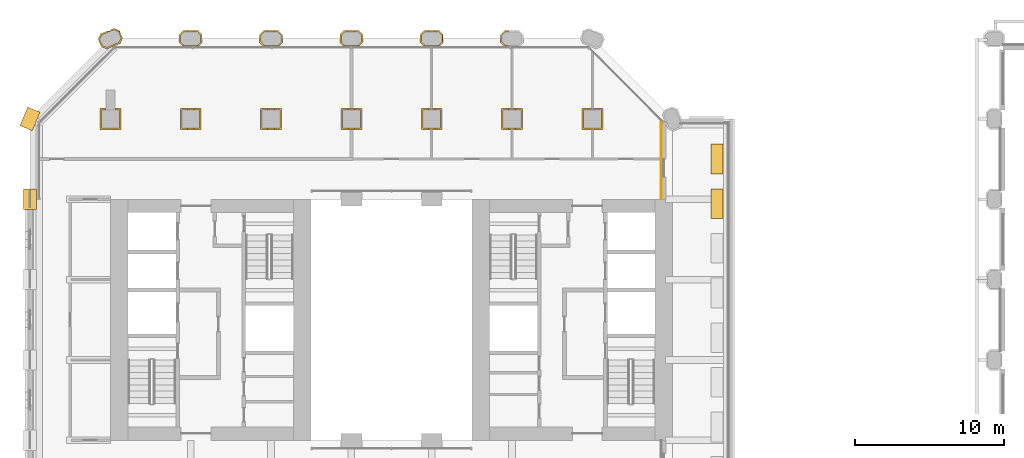
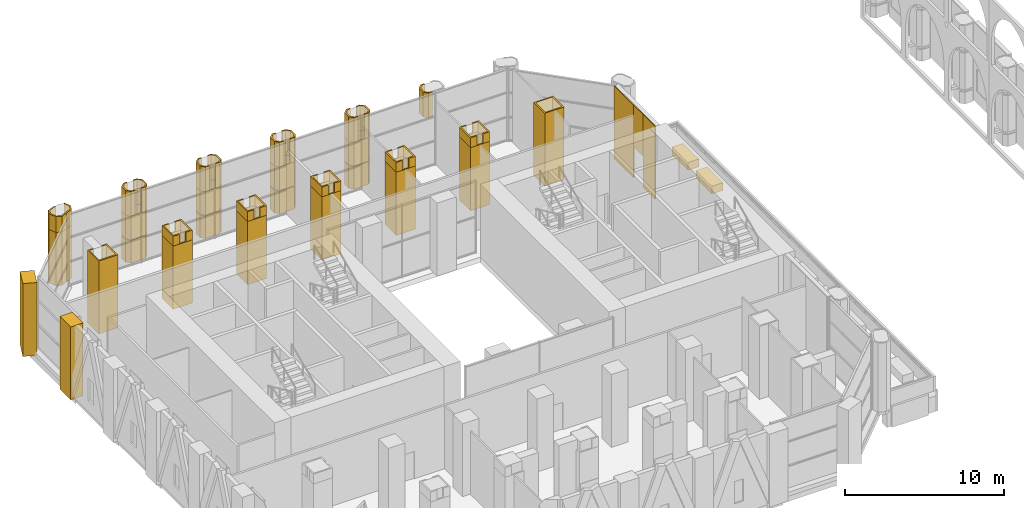
# One storey, part 27 of 34: 43 coverings.
"""IFC4 building model written with IfcOpenShell, lengths in metres."""

from ifc_helpers import new_model, si_unit, direction, frame, frame_2d, origin, origin_2d, place, context, subcontext, project, spatial, polyline, rectangle, outline, extrude, material, layer, layer_set, type_object, element, save


model = new_model("IFC4")

# Units and contexts
model_context = context("Model", 3, precision=1e-05, world=origin(), true_north=direction((0.0, 1.0)))
body_context = subcontext(model_context, "Body", "Model", "MODEL_VIEW")
ifc_project = project(units=[si_unit("LENGTHUNIT", "METRE"), si_unit("AREAUNIT", "SQUARE_METRE"), si_unit("VOLUMEUNIT", "CUBIC_METRE"), si_unit("PLANEANGLEUNIT", "RADIAN"), si_unit("MASSUNIT", "GRAM", prefix="KILO")], contexts=[model_context])

# Site, building, storey
site_placement = place(None, origin())
site = spatial("IfcSite", under=ifc_project, at=site_placement, CompositionType="ELEMENT")
building_placement = place(site_placement, origin())
building = spatial("IfcBuilding", under=site, at=building_placement, Name="Tabaq Tower and Sports Hall", CompositionType="ELEMENT")
storey_placement = place(building_placement, frame((0.0, 0.0, 8.39990234375)))
storey = spatial("IfcBuildingStorey", under=building, at=storey_placement, Name="L01", CompositionType="ELEMENT", Elevation=8.39990234375)

# Coverings
ifc_material_1 = material(Name="Precast concrete C60/75", Category="concrete")
ifc_layer_1 = layer(ifc_material_1, 0.10009765625)
ifc_layer_set_1 = layer_set([ifc_layer_1], Name="Column cladding 100")
covering_type_1 = type_object("IfcCoveringType", Name="Column cladding 100", PredefinedType="CLADDING", material=ifc_layer_set_1)
covering_1_placement = place(storey_placement, origin())
element("IfcCovering", 1, at=covering_1_placement, inside=storey, type_object=covering_type_1, Name="Column cladding L01 CC-2H-P", PredefinedType="CLADDING", context=body_context, shape_type="SweptSolid", body=[
    extrude(outline(polyline([(5.099609375, 38.499755859375), (5.099609375, 38.400390625), (4.7998046875, 38.400390625), (4.7998046875, 37.19970703125), (6.000244140625, 37.19970703125), (6.000244140625, 38.400390625), (5.7001953125, 38.400390625), (5.7001953125, 38.499755859375), (6.099609375, 38.499755859375), (6.099609375, 37.100341796875), (4.7001953125, 37.100341796875), (4.7001953125, 38.499755859375), (5.099609375, 38.499755859375)])), origin(), (0.0, 0.0, 1.0), 5.60009765625),
])
covering_2_placement = place(storey_placement, frame((0.0, 0.0, 0.300048828125)))
element("IfcCovering", 2, at=covering_2_placement, inside=storey, type_object=covering_type_1, Name="Column cladding L01 PC-2I-P", PredefinedType="CLADDING", context=body_context, shape_type="SweptSolid", body=[
    extrude(outline(polyline([(4.582275390625, 43.149658203125), (4.73583984375, 43.519775390625), (5.248291015625, 43.732177734375), (5.249755859375, 43.69677734375), (5.249755859375, 43.696533203125), (5.400390625, 43.696533203125), (5.400390625, 43.795166015625), (5.6435546875, 43.895751953125), (6.013916015625, 43.742431640625), (6.217529296875, 43.25048828125), (6.064208984375, 42.880126953125), (5.60595703125, 42.690185546875), (5.586181640625, 42.690185546875), (5.586181640625, 42.68212890625), (5.156494140625, 42.504150390625), (4.7861328125, 42.657470703125), (4.582275390625, 43.149658203125)]), holes=[polyline([(6.110107421875, 43.25048828125), (5.937744140625, 43.66650390625), (5.6435546875, 43.788330078125), (4.811767578125, 43.44384765625), (4.68994140625, 43.149658203125), (4.8623046875, 42.733642578125), (5.156494140625, 42.61181640625), (5.98828125, 42.956298828125), (6.110107421875, 43.25048828125)])]), origin(), (0.0, 0.0, 1.0), 4.10009765625),
])
covering_3_placement = place(storey_placement, frame((0.0, 0.0, 4.400146484375)))
element("IfcCovering", 3, at=covering_3_placement, inside=storey, type_object=covering_type_1, Name="Column cladding L01 PC-2I-P head", PredefinedType="CLADDING", context=body_context, shape_type="SweptSolid", body=[
    extrude(outline(polyline([(4.73583984375, 43.519775390625), (5.248291015625, 43.732177734375), (5.249755859375, 43.69677734375), (5.249755859375, 43.696533203125), (5.399658203125, 43.696533203125), (5.399658203125, 43.687255859375), (4.811767578125, 43.44384765625), (4.68994140625, 43.149658203125), (4.8623046875, 42.733642578125), (5.156494140625, 42.61181640625), (5.98828125, 42.956298828125), (6.110107421875, 43.25048828125), (5.944580078125, 43.649658203125), (6.000244140625, 43.649658203125), (6.000244140625, 43.748046875), (6.013916015625, 43.742431640625), (6.217529296875, 43.25048828125), (6.064208984375, 42.880126953125), (5.60595703125, 42.690185546875), (5.586181640625, 42.690185546875), (5.586181640625, 42.68212890625), (5.156494140625, 42.504150390625), (4.7861328125, 42.657470703125), (4.582275390625, 43.149658203125), (4.73583984375, 43.519775390625)])), origin(), (0.0, 0.0, 1.0), 1.199951171875),
])
covering_4_placement = place(storey_placement, origin())
element("IfcCovering", 4, at=covering_4_placement, inside=storey, type_object=covering_type_1, Name="Column cladding L01 CC-3H-P", PredefinedType="CLADDING", context=body_context, shape_type="SweptSolid", body=[
    extrude(outline(polyline([(10.100341796875, 38.499755859375), (11.499755859375, 38.499755859375), (11.499755859375, 37.100341796875), (10.100341796875, 37.100341796875), (10.100341796875, 38.499755859375)]), holes=[polyline([(11.400390625, 37.19970703125), (11.400390625, 38.400390625), (10.19970703125, 38.400390625), (10.19970703125, 37.19970703125), (11.400390625, 37.19970703125)])]), origin(), (0.0, 0.0, 1.0), 4.85009765625),
])
covering_5_placement = place(storey_placement, frame((0.0, 0.0, 4.85009765625)))
element("IfcCovering", 5, at=covering_5_placement, inside=storey, type_object=covering_type_1, Name="Column cladding L01 CC-3H-P head", PredefinedType="CLADDING", context=body_context, shape_type="SweptSolid", body=[
    extrude(outline(polyline([(10.57470703125, 38.499755859375), (10.57470703125, 38.400390625), (10.19970703125, 38.400390625), (10.19970703125, 37.19970703125), (10.57470703125, 37.19970703125), (10.57470703125, 37.100341796875), (10.100341796875, 37.100341796875), (10.100341796875, 38.499755859375), (10.57470703125, 38.499755859375)])), origin(), (0.0, 0.0, 1.0), 0.75),
])
covering_6_placement = place(storey_placement, frame((0.0, 0.0, 4.85009765625)))
element("IfcCovering", 6, at=covering_6_placement, inside=storey, type_object=covering_type_1, Name="Column cladding L01 CC-3H-P head 2", PredefinedType="CLADDING", context=body_context, shape_type="SweptSolid", body=[
    extrude(outline(polyline([(11.499755859375, 38.499755859375), (11.499755859375, 37.100341796875), (11.025390625, 37.100341796875), (11.025390625, 37.19970703125), (11.400390625, 37.19970703125), (11.400390625, 38.400390625), (11.025390625, 38.400390625), (11.025390625, 38.499755859375), (11.499755859375, 38.499755859375)])), origin(), (0.0, 0.0, 1.0), 0.75),
])
covering_7_placement = place(storey_placement, frame((0.0, 0.0, 0.1025390625)))
element("IfcCovering", 7, at=covering_7_placement, inside=storey, type_object=covering_type_1, Name="Column cladding L01 PC-3I-P", PredefinedType="CLADDING", context=body_context, shape_type="SweptSolid", body=[
    extrude(outline(polyline([(10.025390625, 43.46630859375), (10.30859375, 43.749755859375), (11.291259765625, 43.749755859375), (11.57470703125, 43.46630859375), (11.57470703125, 42.93359375), (11.331298828125, 42.690185546875), (10.268798828125, 42.690185546875), (10.025390625, 42.93359375), (10.025390625, 43.46630859375)]), holes=[polyline([(11.475341796875, 42.974853515625), (11.475341796875, 43.425048828125), (11.250244140625, 43.650390625), (10.349853515625, 43.650390625), (10.124755859375, 43.425048828125), (10.124755859375, 42.974853515625), (10.349853515625, 42.749755859375), (11.250244140625, 42.749755859375), (11.475341796875, 42.974853515625)])]), origin(), (0.0, 0.0, 1.0), 1.731689453125),
])
covering_8_placement = place(storey_placement, frame((0.0, 0.0, 1.899169921875)))
element("IfcCovering", 8, at=covering_8_placement, inside=storey, type_object=covering_type_1, Name="Column cladding L01 PC-3I-P 2", PredefinedType="CLADDING", context=body_context, shape_type="SweptSolid", body=[
    extrude(outline(polyline([(10.025390625, 43.46630859375), (10.30859375, 43.749755859375), (11.291259765625, 43.749755859375), (11.57470703125, 43.46630859375), (11.57470703125, 42.93359375), (11.331298828125, 42.690185546875), (10.268798828125, 42.690185546875), (10.025390625, 42.93359375), (10.025390625, 43.46630859375)]), holes=[polyline([(11.475341796875, 42.974853515625), (11.475341796875, 43.425048828125), (11.250244140625, 43.650390625), (10.349853515625, 43.650390625), (10.124755859375, 43.425048828125), (10.124755859375, 42.974853515625), (10.349853515625, 42.749755859375), (11.250244140625, 42.749755859375), (11.475341796875, 42.974853515625)])]), origin(), (0.0, 0.0, 1.0), 1.8017578125),
])
covering_9_placement = place(storey_placement, frame((0.0, 0.0, 3.700927734375)))
element("IfcCovering", 9, at=covering_9_placement, inside=storey, type_object=covering_type_1, Name="Column cladding L01 PC-3I-P head", PredefinedType="CLADDING", context=body_context, shape_type="SweptSolid", body=[
    extrude(outline(polyline([(10.30859375, 43.749755859375), (10.57470703125, 43.749755859375), (10.57470703125, 43.650390625), (10.349853515625, 43.650390625), (10.124755859375, 43.425048828125), (10.124755859375, 42.974853515625), (10.349853515625, 42.749755859375), (10.57470703125, 42.749755859375), (10.57470703125, 42.690185546875), (10.268798828125, 42.690185546875), (10.025390625, 42.93359375), (10.025390625, 43.46630859375), (10.30859375, 43.749755859375)])), origin(), (0.0, 0.0, 1.0), 1.899169921875),
])
covering_10_placement = place(storey_placement, frame((0.0, 0.0, 3.700927734375)))
element("IfcCovering", 10, at=covering_10_placement, inside=storey, type_object=covering_type_1, Name="Column cladding L01 PC-3I-P head 2", PredefinedType="CLADDING", context=body_context, shape_type="SweptSolid", body=[
    extrude(outline(polyline([(11.291259765625, 43.749755859375), (11.57470703125, 43.46630859375), (11.57470703125, 42.93359375), (11.331298828125, 42.690185546875), (11.025390625, 42.690185546875), (11.025390625, 42.749755859375), (11.250244140625, 42.749755859375), (11.475341796875, 42.974853515625), (11.475341796875, 43.425048828125), (11.250244140625, 43.650390625), (11.025390625, 43.650390625), (11.025390625, 43.749755859375), (11.291259765625, 43.749755859375)])), origin(), (0.0, 0.0, 1.0), 1.899169921875),
])
covering_11_placement = place(storey_placement, origin())
element("IfcCovering", 11, at=covering_11_placement, inside=storey, type_object=covering_type_1, Name="Column cladding L01 CC-4H-P", PredefinedType="CLADDING", context=body_context, shape_type="SweptSolid", body=[
    extrude(outline(polyline([(15.500244140625, 38.499755859375), (16.899658203125, 38.499755859375), (16.899658203125, 37.100341796875), (15.500244140625, 37.100341796875), (15.500244140625, 38.499755859375)]), holes=[polyline([(16.80029296875, 37.19970703125), (16.80029296875, 38.400390625), (15.599609375, 38.400390625), (15.599609375, 37.19970703125), (16.80029296875, 37.19970703125)])]), origin(), (0.0, 0.0, 1.0), 4.85009765625),
])
covering_12_placement = place(storey_placement, frame((0.0, 0.0, 4.85009765625)))
element("IfcCovering", 12, at=covering_12_placement, inside=storey, type_object=covering_type_1, Name="Column cladding L01 CC-4H-P head", PredefinedType="CLADDING", context=body_context, shape_type="SweptSolid", body=[
    extrude(outline(polyline([(16.899658203125, 38.499755859375), (16.899658203125, 37.100341796875), (16.42529296875, 37.100341796875), (16.42529296875, 37.19970703125), (16.80029296875, 37.19970703125), (16.80029296875, 38.400390625), (16.42529296875, 38.400390625), (16.42529296875, 38.499755859375), (16.899658203125, 38.499755859375)])), origin(), (0.0, 0.0, 1.0), 0.75),
])
covering_13_placement = place(storey_placement, frame((0.0, 0.0, 4.85009765625)))
element("IfcCovering", 13, at=covering_13_placement, inside=storey, type_object=covering_type_1, Name="Column cladding L01 CC-4H-P head 2", PredefinedType="CLADDING", context=body_context, shape_type="SweptSolid", body=[
    extrude(outline(polyline([(15.974609375, 38.499755859375), (15.974609375, 38.400390625), (15.599609375, 38.400390625), (15.599609375, 37.19970703125), (15.974609375, 37.19970703125), (15.974609375, 37.100341796875), (15.500244140625, 37.100341796875), (15.500244140625, 38.499755859375), (15.974609375, 38.499755859375)])), origin(), (0.0, 0.0, 1.0), 0.75),
])
covering_14_placement = place(storey_placement, frame((0.0, 0.0, 0.1025390625)))
element("IfcCovering", 14, at=covering_14_placement, inside=storey, type_object=covering_type_1, Name="Column cladding L01 PC-4I-P", PredefinedType="CLADDING", context=body_context, shape_type="SweptSolid", body=[
    extrude(outline(polyline([(15.42529296875, 43.46630859375), (15.708740234375, 43.749755859375), (16.69140625, 43.749755859375), (16.974609375, 43.46630859375), (16.974609375, 42.93359375), (16.731201171875, 42.690185546875), (15.668701171875, 42.690185546875), (15.42529296875, 42.93359375), (15.42529296875, 43.46630859375)]), holes=[polyline([(16.875244140625, 42.974853515625), (16.875244140625, 43.425048828125), (16.650146484375, 43.650390625), (15.749755859375, 43.650390625), (15.524658203125, 43.425048828125), (15.524658203125, 42.974853515625), (15.749755859375, 42.749755859375), (16.650146484375, 42.749755859375), (16.875244140625, 42.974853515625)])]), origin(), (0.0, 0.0, 1.0), 1.731689453125),
])
covering_15_placement = place(storey_placement, frame((0.0, 0.0, 1.899169921875)))
element("IfcCovering", 15, at=covering_15_placement, inside=storey, type_object=covering_type_1, Name="Column cladding L01 PC-4I-P 2", PredefinedType="CLADDING", context=body_context, shape_type="SweptSolid", body=[
    extrude(outline(polyline([(15.42529296875, 43.46630859375), (15.708740234375, 43.749755859375), (16.69140625, 43.749755859375), (16.974609375, 43.46630859375), (16.974609375, 42.93359375), (16.731201171875, 42.690185546875), (15.668701171875, 42.690185546875), (15.42529296875, 42.93359375), (15.42529296875, 43.46630859375)]), holes=[polyline([(16.875244140625, 42.974853515625), (16.875244140625, 43.425048828125), (16.650146484375, 43.650390625), (15.749755859375, 43.650390625), (15.524658203125, 43.425048828125), (15.524658203125, 42.974853515625), (15.749755859375, 42.749755859375), (16.650146484375, 42.749755859375), (16.875244140625, 42.974853515625)])]), origin(), (0.0, 0.0, 1.0), 1.8017578125),
])
covering_16_placement = place(storey_placement, frame((0.0, 0.0, 3.700927734375)))
element("IfcCovering", 16, at=covering_16_placement, inside=storey, type_object=covering_type_1, Name="Column cladding L01 PC-4I-P head", PredefinedType="CLADDING", context=body_context, shape_type="SweptSolid", body=[
    extrude(outline(polyline([(16.69140625, 43.749755859375), (16.974609375, 43.46630859375), (16.974609375, 42.93359375), (16.731201171875, 42.690185546875), (16.42529296875, 42.690185546875), (16.42529296875, 42.749755859375), (16.650146484375, 42.749755859375), (16.875244140625, 42.974853515625), (16.875244140625, 43.425048828125), (16.650146484375, 43.650390625), (16.42529296875, 43.650390625), (16.42529296875, 43.749755859375), (16.69140625, 43.749755859375)])), origin(), (0.0, 0.0, 1.0), 1.899169921875),
])
covering_17_placement = place(storey_placement, frame((0.0, 0.0, 3.700927734375)))
element("IfcCovering", 17, at=covering_17_placement, inside=storey, type_object=covering_type_1, Name="Column cladding L01 PC-4I-P head 2", PredefinedType="CLADDING", context=body_context, shape_type="SweptSolid", body=[
    extrude(outline(polyline([(15.708740234375, 43.749755859375), (15.974609375, 43.749755859375), (15.974609375, 43.650390625), (15.749755859375, 43.650390625), (15.524658203125, 43.425048828125), (15.524658203125, 42.974853515625), (15.749755859375, 42.749755859375), (15.974609375, 42.749755859375), (15.974609375, 42.690185546875), (15.668701171875, 42.690185546875), (15.42529296875, 42.93359375), (15.42529296875, 43.46630859375), (15.708740234375, 43.749755859375)])), origin(), (0.0, 0.0, 1.0), 1.899169921875),
])
covering_18_placement = place(storey_placement, origin())
element("IfcCovering", 18, at=covering_18_placement, inside=storey, type_object=covering_type_1, Name="Column cladding L01 CC-5H-P", PredefinedType="CLADDING", context=body_context, shape_type="SweptSolid", body=[
    extrude(outline(polyline([(20.900390625, 38.499755859375), (22.2998046875, 38.499755859375), (22.2998046875, 37.100341796875), (20.900390625, 37.100341796875), (20.900390625, 38.499755859375)]), holes=[polyline([(22.2001953125, 37.19970703125), (22.2001953125, 38.400390625), (20.999755859375, 38.400390625), (20.999755859375, 37.19970703125), (22.2001953125, 37.19970703125)])]), origin(), (0.0, 0.0, 1.0), 4.85009765625),
])
covering_19_placement = place(storey_placement, frame((0.0, 0.0, 4.85009765625)))
element("IfcCovering", 19, at=covering_19_placement, inside=storey, type_object=covering_type_1, Name="Column cladding L01 CC-5H-P head", PredefinedType="CLADDING", context=body_context, shape_type="SweptSolid", body=[
    extrude(outline(polyline([(21.374755859375, 38.499755859375), (21.374755859375, 38.400390625), (20.999755859375, 38.400390625), (20.999755859375, 37.19970703125), (21.374755859375, 37.19970703125), (21.374755859375, 37.100341796875), (20.900390625, 37.100341796875), (20.900390625, 38.499755859375), (21.374755859375, 38.499755859375)])), origin(), (0.0, 0.0, 1.0), 0.75),
])
covering_20_placement = place(storey_placement, frame((0.0, 0.0, 4.85009765625)))
element("IfcCovering", 20, at=covering_20_placement, inside=storey, type_object=covering_type_1, Name="Column cladding L01 CC-5H-P head 2", PredefinedType="CLADDING", context=body_context, shape_type="SweptSolid", body=[
    extrude(outline(polyline([(22.2998046875, 38.499755859375), (22.2998046875, 37.100341796875), (21.8251953125, 37.100341796875), (21.8251953125, 37.19970703125), (22.2001953125, 37.19970703125), (22.2001953125, 38.400390625), (21.8251953125, 38.400390625), (21.8251953125, 38.499755859375), (22.2998046875, 38.499755859375)])), origin(), (0.0, 0.0, 1.0), 0.75),
])
covering_21_placement = place(storey_placement, frame((0.0, 0.0, 0.1025390625)))
element("IfcCovering", 21, at=covering_21_placement, inside=storey, type_object=covering_type_1, Name="Column cladding L01 PC-5I-P", PredefinedType="CLADDING", context=body_context, shape_type="SweptSolid", body=[
    extrude(outline(polyline([(20.8251953125, 43.46630859375), (21.108642578125, 43.749755859375), (22.09130859375, 43.749755859375), (22.374755859375, 43.46630859375), (22.374755859375, 42.93359375), (22.13134765625, 42.690185546875), (21.068603515625, 42.690185546875), (20.8251953125, 42.93359375), (20.8251953125, 43.46630859375)]), holes=[polyline([(22.275390625, 42.974853515625), (22.275390625, 43.425048828125), (22.050048828125, 43.650390625), (21.14990234375, 43.650390625), (20.9248046875, 43.425048828125), (20.9248046875, 42.974853515625), (21.14990234375, 42.749755859375), (22.050048828125, 42.749755859375), (22.275390625, 42.974853515625)])]), origin(), (0.0, 0.0, 1.0), 1.731689453125),
])
covering_22_placement = place(storey_placement, frame((0.0, 0.0, 1.899169921875)))
element("IfcCovering", 22, at=covering_22_placement, inside=storey, type_object=covering_type_1, Name="Column cladding L01 PC-5I-P 2", PredefinedType="CLADDING", context=body_context, shape_type="SweptSolid", body=[
    extrude(outline(polyline([(20.8251953125, 43.46630859375), (21.108642578125, 43.749755859375), (22.09130859375, 43.749755859375), (22.374755859375, 43.46630859375), (22.374755859375, 42.93359375), (22.13134765625, 42.690185546875), (21.068603515625, 42.690185546875), (20.8251953125, 42.93359375), (20.8251953125, 43.46630859375)]), holes=[polyline([(22.275390625, 42.974853515625), (22.275390625, 43.425048828125), (22.050048828125, 43.650390625), (21.14990234375, 43.650390625), (20.9248046875, 43.425048828125), (20.9248046875, 42.974853515625), (21.14990234375, 42.749755859375), (22.050048828125, 42.749755859375), (22.275390625, 42.974853515625)])]), origin(), (0.0, 0.0, 1.0), 1.8017578125),
])
covering_23_placement = place(storey_placement, frame((0.0, 0.0, 3.700927734375)))
element("IfcCovering", 23, at=covering_23_placement, inside=storey, type_object=covering_type_1, Name="Column cladding L01 PC-5I-P head", PredefinedType="CLADDING", context=body_context, shape_type="SweptSolid", body=[
    extrude(outline(polyline([(21.108642578125, 43.749755859375), (21.374755859375, 43.749755859375), (21.374755859375, 43.650390625), (21.14990234375, 43.650390625), (20.9248046875, 43.425048828125), (20.9248046875, 42.974853515625), (21.14990234375, 42.749755859375), (21.374755859375, 42.749755859375), (21.374755859375, 42.690185546875), (21.068603515625, 42.690185546875), (20.8251953125, 42.93359375), (20.8251953125, 43.46630859375), (21.108642578125, 43.749755859375)])), origin(), (0.0, 0.0, 1.0), 1.899169921875),
])
covering_24_placement = place(storey_placement, frame((0.0, 0.0, 3.700927734375)))
element("IfcCovering", 24, at=covering_24_placement, inside=storey, type_object=covering_type_1, Name="Column cladding L01 PC-5I-P head 2", PredefinedType="CLADDING", context=body_context, shape_type="SweptSolid", body=[
    extrude(outline(polyline([(22.09130859375, 43.749755859375), (22.374755859375, 43.46630859375), (22.374755859375, 42.93359375), (22.13134765625, 42.690185546875), (21.8251953125, 42.690185546875), (21.8251953125, 42.749755859375), (22.050048828125, 42.749755859375), (22.275390625, 42.974853515625), (22.275390625, 43.425048828125), (22.050048828125, 43.650390625), (21.8251953125, 43.650390625), (21.8251953125, 43.749755859375), (22.09130859375, 43.749755859375)])), origin(), (0.0, 0.0, 1.0), 1.899169921875),
])
covering_25_placement = place(storey_placement, origin())
element("IfcCovering", 25, at=covering_25_placement, inside=storey, type_object=covering_type_1, Name="Column cladding L01 CC-6H-P", PredefinedType="CLADDING", context=body_context, shape_type="SweptSolid", body=[
    extrude(outline(polyline([(26.30029296875, 38.499755859375), (27.69970703125, 38.499755859375), (27.69970703125, 37.100341796875), (26.30029296875, 37.100341796875), (26.30029296875, 38.499755859375)]), holes=[polyline([(27.600341796875, 37.19970703125), (27.600341796875, 38.400390625), (26.399658203125, 38.400390625), (26.399658203125, 37.19970703125), (27.600341796875, 37.19970703125)])]), origin(), (0.0, 0.0, 1.0), 4.85009765625),
])
covering_26_placement = place(storey_placement, frame((0.0, 0.0, 4.85009765625)))
element("IfcCovering", 26, at=covering_26_placement, inside=storey, type_object=covering_type_1, Name="Column cladding L01 CC-6H-P head", PredefinedType="CLADDING", context=body_context, shape_type="SweptSolid", body=[
    extrude(outline(polyline([(26.774658203125, 38.499755859375), (26.774658203125, 38.400390625), (26.399658203125, 38.400390625), (26.399658203125, 37.19970703125), (26.774658203125, 37.19970703125), (26.774658203125, 37.100341796875), (26.30029296875, 37.100341796875), (26.30029296875, 38.499755859375), (26.774658203125, 38.499755859375)])), origin(), (0.0, 0.0, 1.0), 0.75),
])
covering_27_placement = place(storey_placement, frame((0.0, 0.0, 4.85009765625)))
element("IfcCovering", 27, at=covering_27_placement, inside=storey, type_object=covering_type_1, Name="Column cladding L01 CC-6H-P head 2", PredefinedType="CLADDING", context=body_context, shape_type="SweptSolid", body=[
    extrude(outline(polyline([(27.69970703125, 38.499755859375), (27.69970703125, 37.100341796875), (27.225341796875, 37.100341796875), (27.225341796875, 37.19970703125), (27.600341796875, 37.19970703125), (27.600341796875, 38.400390625), (27.225341796875, 38.400390625), (27.225341796875, 38.499755859375), (27.69970703125, 38.499755859375)])), origin(), (0.0, 0.0, 1.0), 0.75),
])
covering_28_placement = place(storey_placement, frame((0.0, 0.0, 0.1025390625)))
element("IfcCovering", 28, at=covering_28_placement, inside=storey, type_object=covering_type_1, Name="Column cladding L01 PC-6I-P", PredefinedType="CLADDING", context=body_context, shape_type="SweptSolid", body=[
    extrude(outline(polyline([(26.225341796875, 43.46630859375), (26.5087890625, 43.749755859375), (27.4912109375, 43.749755859375), (27.774658203125, 43.46630859375), (27.774658203125, 42.93359375), (27.53125, 42.690185546875), (26.46875, 42.690185546875), (26.225341796875, 42.93359375), (26.225341796875, 43.46630859375)]), holes=[polyline([(27.67529296875, 42.974853515625), (27.67529296875, 43.425048828125), (27.4501953125, 43.650390625), (26.5498046875, 43.650390625), (26.32470703125, 43.425048828125), (26.32470703125, 42.974853515625), (26.5498046875, 42.749755859375), (27.4501953125, 42.749755859375), (27.67529296875, 42.974853515625)])]), origin(), (0.0, 0.0, 1.0), 1.731689453125),
])
covering_29_placement = place(storey_placement, frame((0.0, 0.0, 1.899169921875)))
element("IfcCovering", 29, at=covering_29_placement, inside=storey, type_object=covering_type_1, Name="Column cladding L01 PC-6I-P 2", PredefinedType="CLADDING", context=body_context, shape_type="SweptSolid", body=[
    extrude(outline(polyline([(26.225341796875, 43.46630859375), (26.5087890625, 43.749755859375), (27.4912109375, 43.749755859375), (27.774658203125, 43.46630859375), (27.774658203125, 42.93359375), (27.53125, 42.690185546875), (26.46875, 42.690185546875), (26.225341796875, 42.93359375), (26.225341796875, 43.46630859375)]), holes=[polyline([(27.67529296875, 42.974853515625), (27.67529296875, 43.425048828125), (27.4501953125, 43.650390625), (26.5498046875, 43.650390625), (26.32470703125, 43.425048828125), (26.32470703125, 42.974853515625), (26.5498046875, 42.749755859375), (27.4501953125, 42.749755859375), (27.67529296875, 42.974853515625)])]), origin(), (0.0, 0.0, 1.0), 1.8017578125),
])
covering_30_placement = place(storey_placement, frame((0.0, 0.0, 3.700927734375)))
element("IfcCovering", 30, at=covering_30_placement, inside=storey, type_object=covering_type_1, Name="Column cladding L01 PC-6I-P head", PredefinedType="CLADDING", context=body_context, shape_type="SweptSolid", body=[
    extrude(outline(polyline([(26.5087890625, 43.749755859375), (26.774658203125, 43.749755859375), (26.774658203125, 43.650390625), (26.5498046875, 43.650390625), (26.32470703125, 43.425048828125), (26.32470703125, 42.974853515625), (26.5498046875, 42.749755859375), (26.774658203125, 42.749755859375), (26.774658203125, 42.690185546875), (26.46875, 42.690185546875), (26.225341796875, 42.93359375), (26.225341796875, 43.46630859375), (26.5087890625, 43.749755859375)])), origin(), (0.0, 0.0, 1.0), 1.899169921875),
])
covering_31_placement = place(storey_placement, frame((0.0, 0.0, 3.700927734375)))
element("IfcCovering", 31, at=covering_31_placement, inside=storey, type_object=covering_type_1, Name="Column cladding L01 PC-6I-P head 2", PredefinedType="CLADDING", context=body_context, shape_type="SweptSolid", body=[
    extrude(outline(polyline([(27.4912109375, 43.749755859375), (27.774658203125, 43.46630859375), (27.774658203125, 42.93359375), (27.53125, 42.690185546875), (27.225341796875, 42.690185546875), (27.225341796875, 42.749755859375), (27.4501953125, 42.749755859375), (27.67529296875, 42.974853515625), (27.67529296875, 43.425048828125), (27.4501953125, 43.650390625), (27.225341796875, 43.650390625), (27.225341796875, 43.749755859375), (27.4912109375, 43.749755859375)])), origin(), (0.0, 0.0, 1.0), 1.899169921875),
])
covering_32_placement = place(storey_placement, origin())
element("IfcCovering", 32, at=covering_32_placement, inside=storey, type_object=covering_type_1, Name="Column cladding L01 CC-7H-P", PredefinedType="CLADDING", context=body_context, shape_type="SweptSolid", body=[
    extrude(outline(polyline([(31.7001953125, 38.499755859375), (33.099609375, 38.499755859375), (33.099609375, 37.100341796875), (31.7001953125, 37.100341796875), (31.7001953125, 38.499755859375)]), holes=[polyline([(33.000244140625, 37.19970703125), (33.000244140625, 38.400390625), (31.7998046875, 38.400390625), (31.7998046875, 37.19970703125), (33.000244140625, 37.19970703125)])]), origin(), (0.0, 0.0, 1.0), 4.85009765625),
])
covering_33_placement = place(storey_placement, frame((0.0, 0.0, 4.85009765625)))
element("IfcCovering", 33, at=covering_33_placement, inside=storey, type_object=covering_type_1, Name="Column cladding L01 CC-7H-P head", PredefinedType="CLADDING", context=body_context, shape_type="SweptSolid", body=[
    extrude(outline(polyline([(33.099609375, 38.499755859375), (33.099609375, 37.100341796875), (32.625244140625, 37.100341796875), (32.625244140625, 37.19970703125), (33.000244140625, 37.19970703125), (33.000244140625, 38.400390625), (32.625244140625, 38.400390625), (32.625244140625, 38.499755859375), (33.099609375, 38.499755859375)])), origin(), (0.0, 0.0, 1.0), 0.75),
])
covering_34_placement = place(storey_placement, frame((0.0, 0.0, 4.85009765625)))
element("IfcCovering", 34, at=covering_34_placement, inside=storey, type_object=covering_type_1, Name="Column cladding L01 CC-7H-P head 2", PredefinedType="CLADDING", context=body_context, shape_type="SweptSolid", body=[
    extrude(outline(polyline([(32.1748046875, 38.499755859375), (32.1748046875, 38.400390625), (31.7998046875, 38.400390625), (31.7998046875, 37.19970703125), (32.1748046875, 37.19970703125), (32.1748046875, 37.100341796875), (31.7001953125, 37.100341796875), (31.7001953125, 38.499755859375), (32.1748046875, 38.499755859375)])), origin(), (0.0, 0.0, 1.0), 0.75),
])
covering_35_placement = place(storey_placement, frame((0.0, 0.0, 3.700927734375)))
element("IfcCovering", 35, at=covering_35_placement, inside=storey, type_object=covering_type_1, Name="Column cladding L01 PC-7I-P head", PredefinedType="CLADDING", context=body_context, shape_type="SweptSolid", body=[
    extrude(outline(polyline([(31.90869140625, 43.749755859375), (32.1748046875, 43.749755859375), (32.1748046875, 43.650390625), (31.949951171875, 43.650390625), (31.724609375, 43.425048828125), (31.724609375, 42.974853515625), (31.949951171875, 42.749755859375), (32.1748046875, 42.749755859375), (32.1748046875, 42.690185546875), (31.86865234375, 42.690185546875), (31.625244140625, 42.93359375), (31.625244140625, 43.46630859375), (31.90869140625, 43.749755859375)])), origin(), (0.0, 0.0, 1.0), 1.899169921875),
])
covering_36_placement = place(storey_placement, origin())
element("IfcCovering", 36, at=covering_36_placement, inside=storey, type_object=covering_type_1, Name="Column cladding L01 CC-8H-P", PredefinedType="CLADDING", context=body_context, shape_type="SweptSolid", body=[
    extrude(outline(polyline([(37.100341796875, 38.499755859375), (38.499755859375, 38.499755859375), (38.499755859375, 37.100341796875), (37.100341796875, 37.100341796875), (37.100341796875, 38.499755859375)]), holes=[polyline([(38.400390625, 37.19970703125), (38.400390625, 38.400390625), (37.19970703125, 38.400390625), (37.19970703125, 37.19970703125), (38.400390625, 37.19970703125)])]), origin(), (0.0, 0.0, 1.0), 5.60009765625),
])
ifc_material_2 = material(Name="White precast concrete C60/75", Category="concrete")
covering_type_2 = type_object("IfcCoveringType", Name="Pier cladding hung 1350x900", PredefinedType="CLADDING", material=ifc_material_2)
covering_37_placement = place(storey_placement, frame((0.0, 33.074951171875, 0.0), z_axis=(0.0, 0.0, 1.0), x_axis=(0.0, -1.0, 0.0)))
element("IfcCovering", 37, at=covering_37_placement, inside=storey, type_object=covering_type_2, Name="Hung pier cladding 0/6", PredefinedType="CLADDING", context=body_context, shape_type="SweptSolid", body=[
    extrude(rectangle(XDim=1.349853515625, YDim=0.89990234375, at=frame_2d((0.6748046875, 0.0))), origin(), (0.0, 0.0, 1.0), 5.60009765625),
])
covering_38_placement = place(storey_placement, frame((0.25830078125, 38.423583984375, 0.0), z_axis=(0.0, 0.0, 1.0), x_axis=(-0.382649923473, -0.923893411637, 0.0)))
element("IfcCovering", 38, at=covering_38_placement, inside=storey, type_object=covering_type_2, Name="Hung pier cladding 0/7", PredefinedType="CLADDING", context=body_context, shape_type="SweptSolid", body=[
    extrude(rectangle(XDim=1.35009765625, YDim=0.89990234375, at=frame_2d((0.675048828125, 0.0))), origin(), (0.0, 0.0, 1.0), 5.60009765625),
])
ifc_material_3 = material(Name="Planting soil and drainage layer")
covering_type_3 = type_object("IfcCoveringType", Name="Planter 2000x800x600", PredefinedType="USERDEFINED", material=ifc_material_3)
for number, where, z_axis, x_axis, name in (
    (39, (46.169921875, 32.10009765625, 0.0), (0.0, 0.0, 1.0), (0.0, 1.0, 0.0), "Planter L01"),
    (40, (46.169921875, 35.10009765625, 0.0), (0.0, 0.0, 1.0), (0.0, 1.0, 0.0), "Planter L01"),
):
    element("IfcCovering", number, at=place(storey_placement, frame(where, z_axis=z_axis, x_axis=x_axis)), inside=storey, type_object=covering_type_3, Name=name, ObjectType="PLANTER", PredefinedType="USERDEFINED", context=body_context, shape_type="SweptSolid", body=[
        extrude(rectangle(XDim=2.0, YDim=0.800048828125, at=origin_2d()), origin(), (0.0, 0.0, 1.0), 0.60009765625),
    ])
ifc_material_4 = material(Name="Precast concrete C60/75", Category="concrete")
ifc_layer_2 = layer(ifc_material_4, 0.06005859375)
ifc_layer_set_2 = layer_set([ifc_layer_2], Name="White precast cladding panel 60 C60/75")
covering_type_4 = type_object("IfcCoveringType", Name="White precast cladding panel 60 C60/75", PredefinedType="CLADDING", material=ifc_layer_set_2)
covering_39_placement = place(storey_placement, frame((42.419921875, 32.39990234375, 0.0), z_axis=(0.0, 0.0, 1.0), x_axis=(0.0, 1.0, 0.0)))
element("IfcCovering", 41, at=covering_39_placement, inside=storey, type_object=covering_type_4, Name="White precast cladding panel L01 infill02-1-0", PredefinedType="CLADDING", context=body_context, shape_type="SweptSolid", body=[
    extrude(rectangle(XDim=1.489990234375, YDim=0.06005859375, at=frame_2d((0.7451171875, 0.0))), origin(), (0.0, 0.0, 1.0), 5.60009765625),
])
covering_40_placement = place(storey_placement, frame((42.419921875, 33.889892578125, 2.41015625), z_axis=(0.0, 0.0, 1.0), x_axis=(0.0, 1.0, 0.0)))
element("IfcCovering", 42, at=covering_40_placement, inside=storey, type_object=covering_type_4, Name="White precast cladding panel L01 infill02-1-0 2", PredefinedType="CLADDING", context=body_context, shape_type="SweptSolid", body=[
    extrude(rectangle(XDim=1.22021484375, YDim=0.06005859375, at=frame_2d((0.610107421875, 0.0))), origin(), (0.0, 0.0, 1.0), 3.18994140625),
])
covering_41_placement = place(storey_placement, frame((42.419921875, 35.110107421875, 0.0), z_axis=(0.0, 0.0, 1.0), x_axis=(0.0, 1.0, 0.0)))
element("IfcCovering", 43, at=covering_41_placement, inside=storey, type_object=covering_type_4, Name="White precast cladding panel L01 infill02-1-0 3", PredefinedType="CLADDING", context=body_context, shape_type="SweptSolid", body=[
    extrude(rectangle(XDim=2.45458984375, YDim=0.06005859375, at=frame_2d((1.227294921875, 0.0))), origin(), (0.0, 0.0, 1.0), 5.60009765625),
])

save(model, "model.ifc")
